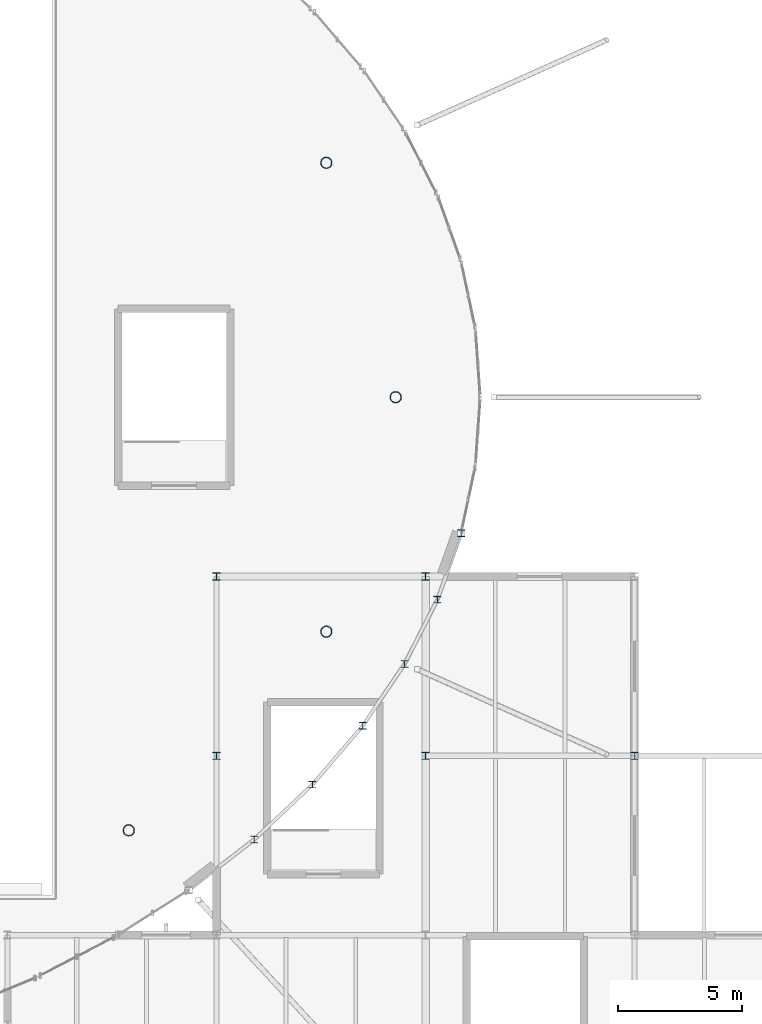
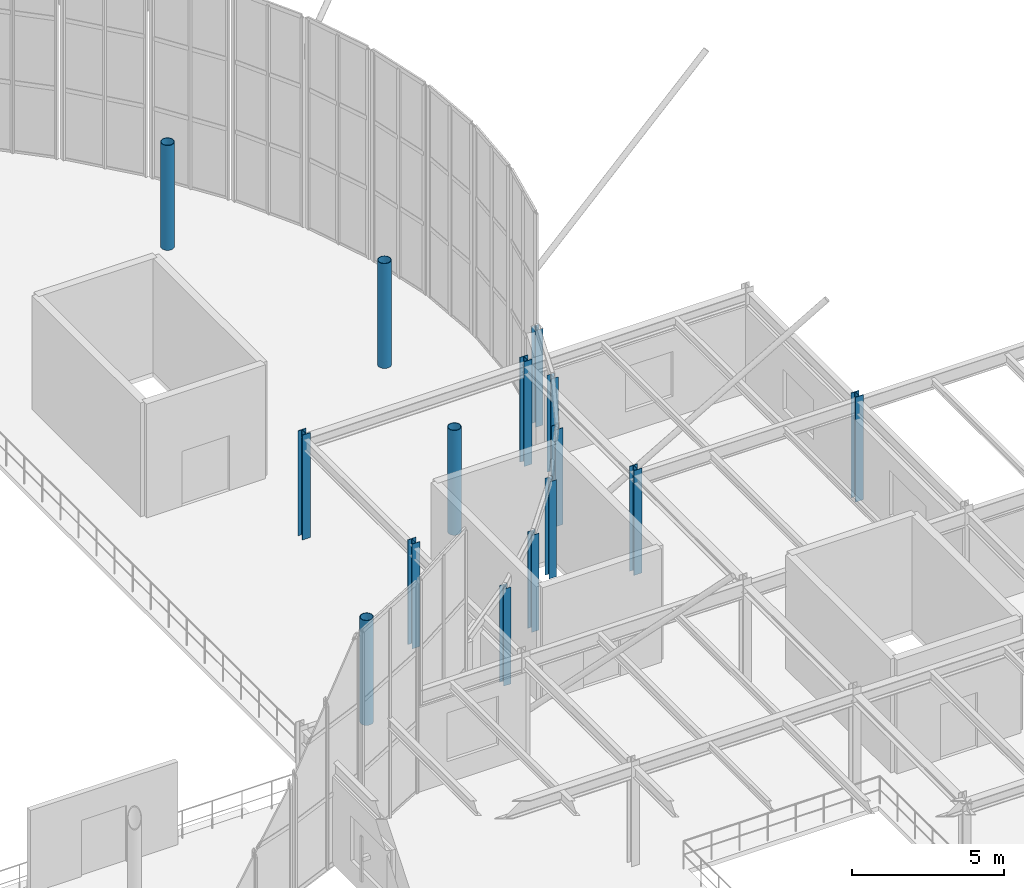
# One storey, part 6 of 109: 15 columns.
"""IFC4 building model written with IfcOpenShell, lengths in metres."""

from ifc_helpers import new_model, si_unit, derived_unit, direction, frame, origin, origin_2d, place, context, subcontext, project, spatial, hollow_circle, i_section, extrude, material, material_profile, profile_set, type_object, element, save


model = new_model("IFC4")

# Units and contexts
model_context = context("Model", 3, precision=1e-05, world=origin(), true_north=direction((0.0, 1.0)))
body_context = subcontext(model_context, "Body", "Model", "MODEL_VIEW")
ifc_project = project(units=[si_unit("LENGTHUNIT", "METRE"), si_unit("AREAUNIT", "SQUARE_METRE"), si_unit("VOLUMEUNIT", "CUBIC_METRE"), si_unit("PLANEANGLEUNIT", "RADIAN"), si_unit("MASSUNIT", "GRAM", prefix="KILO"), derived_unit("THERMALTRANSMITTANCEUNIT", [(si_unit("MASSUNIT", "GRAM", prefix="KILO"), 1), (si_unit("TIMEUNIT", "SECOND"), -3), (si_unit("THERMODYNAMICTEMPERATUREUNIT", "KELVIN"), -1)])], contexts=[model_context])

# Site, building, storey
site_placement = place(None, origin())
site = spatial("IfcSite", under=ifc_project, at=site_placement, CompositionType="ELEMENT")
building_placement = place(site_placement, origin())
building = spatial("IfcBuilding", under=site, at=building_placement, Name="Kharveza Railside Sports Centre", CompositionType="ELEMENT")
storey_placement = place(building_placement, frame((0.0, 0.0, 4.5)))
storey = spatial("IfcBuildingStorey", under=building, at=storey_placement, Name="L01", CompositionType="ELEMENT", Elevation=4.5)

# Columns
ifc_material = material(Name="Steel S355J2", Category="steel")
ifc_material_profile_1 = material_profile(ifc_material, i_section(OverallWidth=0.300048828125, OverallDepth=0.300048828125, WebThickness=0.010986328125, FlangeThickness=0.01904296875, FilletRadius=0.027099609375, at=origin_2d()), Name="HEB 300")
ifc_profile_set_1 = profile_set([ifc_material_profile_1], Name="Steel S355J2")
column_type_1 = type_object("IfcColumnType", Name="COL-S07", PredefinedType="COLUMN", material=ifc_profile_set_1)
for number, where, z_axis, x_axis, name in (
    (1, (84.0, 36.0, 0.0), (0.0, 0.0, 1.0), (1.0, 0.0, 0.0), "COL-G-C07-X840-Y360-L01"),
    (2, (84.0, 43.199951171875, 0.0), (0.0, 0.0, 1.0), (1.0, 0.0, 0.0), "COL-G-C07-X840-Y432-L01"),
    (3, (92.39990234375, 36.0, 0.0), (0.0, 0.0, 1.0), (1.0, 0.0, 0.0), "COL-G-C07-X924-Y360-L01"),
    (4, (92.39990234375, 43.199951171875, 0.0), (0.0, 0.0, 1.0), (1.0, 0.0, 0.0), "COL-G-C07-X924-Y432-L01"),
    (5, (100.800048828125, 36.0, 0.0), (0.0, 0.0, 1.0), (1.0, 0.0, 0.0), "COL-G-C07-X1008-Y360-L01"),
):
    element("IfcColumn", number, at=place(storey_placement, frame(where, z_axis=z_axis, x_axis=x_axis)), inside=storey, type_object=column_type_1, Name=name, PredefinedType="COLUMN", context=body_context, shape_type="SweptSolid", body=[
        extrude(i_section(OverallWidth=0.300048828125, OverallDepth=0.300048828125, WebThickness=0.010986328125, FlangeThickness=0.01904296875, FilletRadius=0.027099609375, at=origin_2d()), origin(), (0.0, 0.0, 1.0), 4.199951171875),
    ])
ifc_material_profile_2 = material_profile(ifc_material, i_section(OverallWidth=0.280029296875, OverallDepth=0.27001953125, WebThickness=0.008056640625, FlangeThickness=0.012939453125, FilletRadius=0.02392578125, at=origin_2d()), Name="HEA 280")
ifc_profile_set_2 = profile_set([ifc_material_profile_2], Name="Steel S355J2")
column_type_2 = type_object("IfcColumnType", Name="COL-S13", PredefinedType="COLUMN", material=ifc_profile_set_2)
for number, where, z_axis, x_axis, name in (
    (6, (85.5205078125, 32.636962890625, 0.0), (0.0, 0.0, 1.0), (1.0, 0.0, 0.0), "COL-DSILL-L01-85p52-32p64"),
    (7, (87.85888671875, 34.843994140625, 0.0), (0.0, 0.0, 1.0), (1.0, 0.0, 0.0), "COL-DSILL-L01-87p86-34p84"),
    (8, (89.876953125, 37.200927734375, 0.0), (0.0, 0.0, 1.0), (1.0, 0.0, 0.0), "COL-DSILL-L01-89p88-37p2"),
    (9, (91.55517578125, 39.684814453125, 0.0), (0.0, 0.0, 1.0), (1.0, 0.0, 0.0), "COL-DSILL-L01-91p56-39p68"),
    (10, (92.877685546875, 42.27197265625, 0.0), (0.0, 0.0, 1.0), (1.0, 0.0, 0.0), "COL-DSILL-L01-92p88-42p27"),
    (11, (93.831298828125, 44.9375, 0.0), (0.0, 0.0, 1.0), (1.0, 0.0, 0.0), "COL-DSILL-L01-93p83-44p94"),
):
    element("IfcColumn", number, at=place(storey_placement, frame(where, z_axis=z_axis, x_axis=x_axis)), inside=storey, type_object=column_type_2, Name=name, PredefinedType="COLUMN", context=body_context, shape_type="SweptSolid", body=[
        extrude(i_section(OverallWidth=0.280029296875, OverallDepth=0.27001953125, WebThickness=0.008056640625, FlangeThickness=0.012939453125, FilletRadius=0.02392578125, at=origin_2d()), origin(), (0.0, 0.0, 1.0), 3.8798828125),
    ])
ifc_material_profile_3 = material_profile(ifc_material, hollow_circle(Radius=0.228515625, WallThickness=0.02001953125, at=origin_2d()), Name="CHS 457.0x20.0")
ifc_profile_set_3 = profile_set([ifc_material_profile_3], Name="Steel S355J2")
column_type_3 = type_object("IfcColumnType", Name="COL-T01", PredefinedType="COLUMN", material=ifc_profile_set_3)
for number, where, z_axis, x_axis, name in (
    (12, (91.199951171875, 50.39990234375, 0.0), (0.0, 0.0, 1.0), (1.0, 0.0, 0.0), "COL-DRUM-01-L01"),
    (13, (88.4140625, 59.81396484375, 0.0), (0.0, 0.0, 1.0), (1.0, 0.0, 0.0), "COL-DRUM-02-L01"),
    (14, (80.47998046875, 33.005126953125, 0.0), (0.0, 0.0, 1.0), (1.0, 0.0, 0.0), "COL-DRUM-15-L01"),
    (15, (88.4140625, 40.986083984375, 0.0), (0.0, 0.0, 1.0), (1.0, 0.0, 0.0), "COL-DRUM-16-L01"),
):
    element("IfcColumn", number, at=place(storey_placement, frame(where, z_axis=z_axis, x_axis=x_axis)), inside=storey, type_object=column_type_3, Name=name, PredefinedType="COLUMN", context=body_context, shape_type="SweptSolid", body=[
        extrude(hollow_circle(Radius=0.228515625, WallThickness=0.02001953125, at=origin_2d()), origin(), (0.0, 0.0, 1.0), 4.199951171875),
    ])

save(model, "model.ifc")
